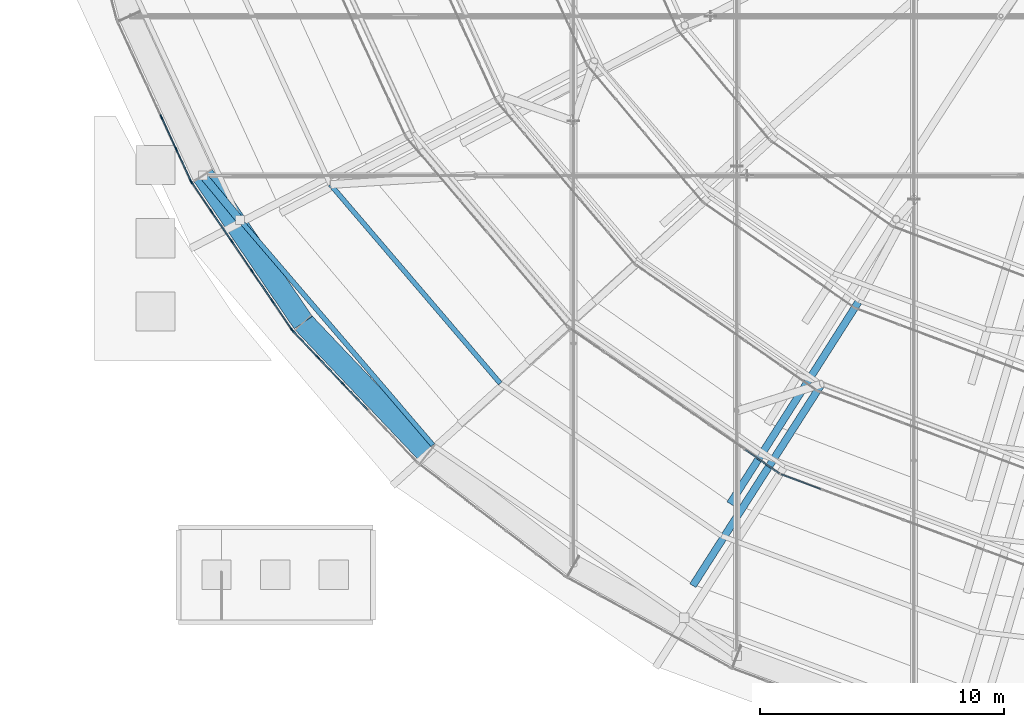
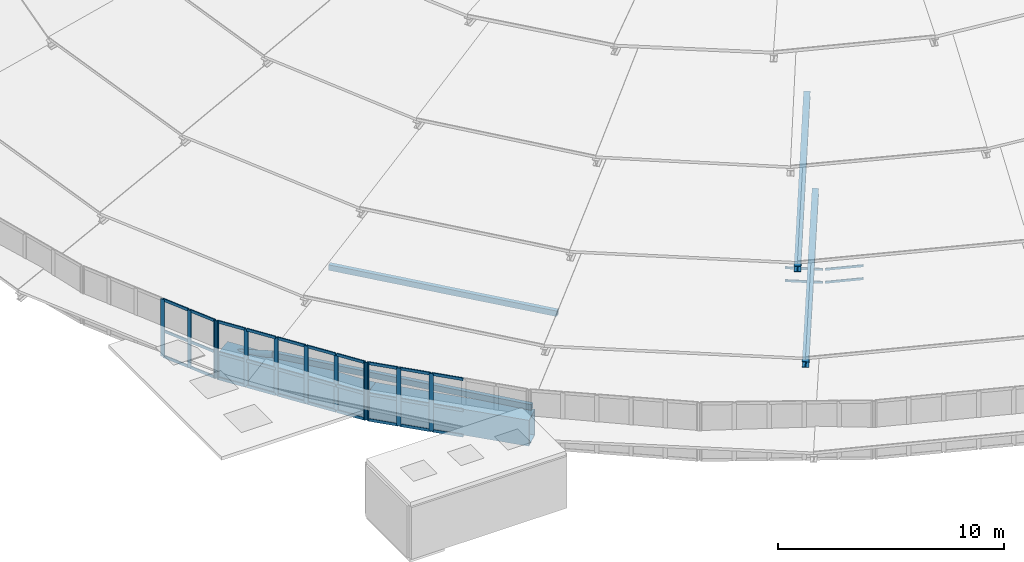
# One storey, part 3 of 173: 51 members, 2 beams, 5 elements without a shape of their own.
"""IFC4 building model written with IfcOpenShell, lengths in metres."""

from ifc_helpers import new_model, si_unit, direction, frame, origin, origin_2d, place, context, subcontext, project, spatial, rectangle, hollow_rectangle, hollow_circle, i_section, extrude, material, material_profile, profile_set, type_object, element, aggregate, save


model = new_model("IFC4")

# Units and contexts
model_context = context("Model", 3, precision=1e-05, world=origin(), true_north=direction((0.0, 1.0)))
body_context = subcontext(model_context, "Body", "Model", "MODEL_VIEW")
ifc_project = project(units=[si_unit("LENGTHUNIT", "METRE"), si_unit("AREAUNIT", "SQUARE_METRE"), si_unit("VOLUMEUNIT", "CUBIC_METRE"), si_unit("PLANEANGLEUNIT", "RADIAN"), si_unit("MASSUNIT", "GRAM", prefix="KILO")], contexts=[model_context])

# Site, building, storey
site_placement = place(None, origin())
site = spatial("IfcSite", under=ifc_project, at=site_placement, CompositionType="ELEMENT")
building_placement = place(site_placement, origin())
building = spatial("IfcBuilding", under=site, at=building_placement, Name="Glasvene Arena", CompositionType="ELEMENT")
storey_placement = place(building_placement, frame((0.0, 0.0, 28.800048828125)))
storey = spatial("IfcBuildingStorey", under=building, at=storey_placement, Name="RF", CompositionType="ELEMENT", Elevation=28.800048828125)

# Beams
ifc_material_1 = material(Name="Steel S355J2", Category="steel")
ifc_material_profile_1 = material_profile(ifc_material_1, hollow_rectangle(XDim=0.89990234375, YDim=1.39990234375, WallThickness=0.034912109375, at=origin_2d()), Name="WBOX 900x1400x35")
ifc_profile_set_1 = profile_set([ifc_material_profile_1], Name="Steel S355J2")
beam_type = type_object("IfcBeamType", Name="BM-RING-BOX1400", PredefinedType="USERDEFINED", material=ifc_profile_set_1)
beam_1_placement = place(storey_placement, frame((47.44970703125, 52.5703125, -0.699951171875), z_axis=(0.562841652838, -0.826564742674, 0.0), x_axis=(0.826564742674, 0.562841652838, 0.0)))
element("IfcBeam", 1, at=beam_1_placement, inside=storey, type_object=beam_type, Name="Compression ring beam chord RB-24", ObjectType="RING BEAM", PredefinedType="USERDEFINED", context=body_context, shape_type="SweptSolid", body=[
    extrude(hollow_rectangle(XDim=0.89990234375, YDim=1.39990234375, WallThickness=0.034912109375, at=origin_2d()), origin(), (0.0, 0.0, 1.0), 7.28369140625),
])
beam_2_placement = place(storey_placement, frame((51.54931640625, 46.5498046875, -0.699951171875), z_axis=(0.688345435881, -0.725383044261, 0.0), x_axis=(0.725383044261, 0.688345435881, 0.0)))
element("IfcBeam", 2, at=beam_2_placement, inside=storey, type_object=beam_type, Name="Compression ring beam chord RB-25", ObjectType="RING BEAM", PredefinedType="USERDEFINED", context=body_context, shape_type="SweptSolid", body=[
    extrude(hollow_rectangle(XDim=0.89990234375, YDim=1.39990234375, WallThickness=0.034912109375, at=origin_2d()), origin(), (0.0, 0.0, 1.0), 7.402587890625),
])

# Curtain wall, members
ifc_material_2 = material(Name="Low-emissivity laminated double glazing", Category="glass")
curtain_wall_type_1 = type_object("IfcCurtainWallType", Name="CW-DRUM-727x310", PredefinedType="USERDEFINED", material=ifc_material_2)
curtain_wall_1_placement = place(storey_placement, frame((43.924072265625, 58.92431640625, 0.0)))
curtain_wall_1 = element("IfcCurtainWall", 3, at=curtain_wall_1_placement, inside=storey, type_object=curtain_wall_type_1, Name="Crown compression-ring fascia curtain wall 23", ObjectType="CURTAIN WALL", PredefinedType="USERDEFINED")
ifc_material_3 = material(Name="Anodised architectural aluminium", Category="aluminium")
ifc_material_profile_2 = material_profile(ifc_material_3, rectangle(XDim=0.050048828125, YDim=0.199951171875, at=origin_2d()), Name="ALU MULLION 50x200")
ifc_profile_set_2 = profile_set([ifc_material_profile_2], Name="Anodised architectural aluminium")
member_type_1 = type_object("IfcMemberType", Name="CW-MUL-180", PredefinedType="MULLION", material=ifc_profile_set_2)
member_1_placement = place(storey_placement, frame((45.745361328125, 54.962158203125, -1.380126953125), z_axis=(0.0, 0.0, 1.0), x_axis=(0.908603046232, 0.417660752738, 0.0)))
member_1 = element("IfcMember", 4, at=member_1_placement, type_object=member_type_1, Name="CW-073 mullion 4", PredefinedType="MULLION", context=body_context, shape_type="SweptSolid", body=[
    extrude(rectangle(XDim=0.050048828125, YDim=0.199951171875, at=origin_2d()), origin(), (0.0, 0.0, 1.0), 3.10009765625),
])
member_2_placement = place(storey_placement, frame((46.3525390625, 53.641357421875, -1.380126953125), z_axis=(0.0, 0.0, 1.0), x_axis=(0.908603046232, 0.417660752738, 0.0)))
member_2 = element("IfcMember", 5, at=member_2_placement, type_object=member_type_1, Name="CW-073 mullion 5", PredefinedType="MULLION", context=body_context, shape_type="SweptSolid", body=[
    extrude(rectangle(XDim=0.050048828125, YDim=0.199951171875, at=origin_2d()), origin(), (0.0, 0.0, 1.0), 3.10009765625),
])
member_3_placement = place(storey_placement, frame((46.94921875, 52.343505859375, -1.380126953125), z_axis=(0.0, 0.0, 1.0), x_axis=(0.908603046232, 0.417660752738, 0.0)))
member_3 = element("IfcMember", 6, at=member_3_placement, type_object=member_type_1, Name="CW-073 mullion 6", PredefinedType="MULLION", context=body_context, shape_type="SweptSolid", body=[
    extrude(rectangle(XDim=0.050048828125, YDim=0.199951171875, at=origin_2d()), origin(), (0.0, 0.0, 1.0), 3.10009765625),
])

curtain_wall_type_2 = type_object("IfcCurtainWallType", Name="CW-DRUM-737x310", PredefinedType="USERDEFINED", material=ifc_material_2)
curtain_wall_2_placement = place(storey_placement, frame((46.959716796875, 52.32080078125, 0.0)))
curtain_wall_2 = element("IfcCurtainWall", 7, at=curtain_wall_2_placement, inside=storey, type_object=curtain_wall_type_2, Name="Crown compression-ring fascia curtain wall 24", ObjectType="CURTAIN WALL", PredefinedType="USERDEFINED")
member_4_placement = place(storey_placement, frame((46.9736328125, 52.300048828125, -1.380126953125), z_axis=(0.0, 0.0, 1.0), x_axis=(0.826896469394, 0.56235418457, 0.0)))
member_4 = element("IfcMember", 8, at=member_4_placement, type_object=member_type_1, Name="CW-074 mullion 1", PredefinedType="MULLION", context=body_context, shape_type="SweptSolid", body=[
    extrude(rectangle(XDim=0.050048828125, YDim=0.199951171875, at=origin_2d()), origin(), (0.0, 0.0, 1.0), 3.10009765625),
])
member_5_placement = place(storey_placement, frame((47.78857421875, 51.101806640625, -1.380126953125), z_axis=(0.0, 0.0, 1.0), x_axis=(0.826896469394, 0.56235418457, 0.0)))
member_5 = element("IfcMember", 9, at=member_5_placement, type_object=member_type_1, Name="CW-074 mullion 2", PredefinedType="MULLION", context=body_context, shape_type="SweptSolid", body=[
    extrude(rectangle(XDim=0.050048828125, YDim=0.199951171875, at=origin_2d()), origin(), (0.0, 0.0, 1.0), 3.10009765625),
])
member_6_placement = place(storey_placement, frame((48.617431640625, 49.883056640625, -1.380126953125), z_axis=(0.0, 0.0, 1.0), x_axis=(0.826896469394, 0.56235418457, 0.0)))
member_6 = element("IfcMember", 10, at=member_6_placement, type_object=member_type_1, Name="CW-074 mullion 3", PredefinedType="MULLION", context=body_context, shape_type="SweptSolid", body=[
    extrude(rectangle(XDim=0.050048828125, YDim=0.199951171875, at=origin_2d()), origin(), (0.0, 0.0, 1.0), 3.10009765625),
])
member_7_placement = place(storey_placement, frame((49.4462890625, 48.6640625, -1.380126953125), z_axis=(0.0, 0.0, 1.0), x_axis=(0.826896469394, 0.56235418457, 0.0)))
member_7 = element("IfcMember", 11, at=member_7_placement, type_object=member_type_1, Name="CW-074 mullion 4", PredefinedType="MULLION", context=body_context, shape_type="SweptSolid", body=[
    extrude(rectangle(XDim=0.050048828125, YDim=0.199951171875, at=origin_2d()), origin(), (0.0, 0.0, 1.0), 3.10009765625),
])
member_8_placement = place(storey_placement, frame((50.275390625, 47.4453125, -1.380126953125), z_axis=(0.0, 0.0, 1.0), x_axis=(0.826896469394, 0.56235418457, 0.0)))
member_8 = element("IfcMember", 12, at=member_8_placement, type_object=member_type_1, Name="CW-074 mullion 5", PredefinedType="MULLION", context=body_context, shape_type="SweptSolid", body=[
    extrude(rectangle(XDim=0.050048828125, YDim=0.199951171875, at=origin_2d()), origin(), (0.0, 0.0, 1.0), 3.10009765625),
])
member_9_placement = place(storey_placement, frame((51.090087890625, 46.2470703125, -1.380126953125), z_axis=(0.0, 0.0, 1.0), x_axis=(0.826896469394, 0.56235418457, 0.0)))
member_9 = element("IfcMember", 13, at=member_9_placement, type_object=member_type_1, Name="CW-074 mullion 6", PredefinedType="MULLION", context=body_context, shape_type="SweptSolid", body=[
    extrude(rectangle(XDim=0.050048828125, YDim=0.199951171875, at=origin_2d()), origin(), (0.0, 0.0, 1.0), 3.10009765625),
])

curtain_wall_type_3 = type_object("IfcCurtainWallType", Name="CW-DRUM-749x310", PredefinedType="USERDEFINED", material=ifc_material_2)
curtain_wall_3_placement = place(storey_placement, frame((51.104248046875, 46.226318359375, 0.0)))
curtain_wall_3 = element("IfcCurtainWall", 14, at=curtain_wall_3_placement, inside=storey, type_object=curtain_wall_type_3, Name="Crown compression-ring fascia curtain wall 25", ObjectType="CURTAIN WALL", PredefinedType="USERDEFINED")
member_10_placement = place(storey_placement, frame((51.121337890625, 46.208251953125, -1.380126953125), z_axis=(0.0, 0.0, 1.0), x_axis=(0.725782125252, 0.687924637344, 0.0)))
member_10 = element("IfcMember", 15, at=member_10_placement, type_object=member_type_1, Name="CW-075 mullion 1", PredefinedType="MULLION", context=body_context, shape_type="SweptSolid", body=[
    extrude(rectangle(XDim=0.050048828125, YDim=0.199951171875, at=origin_2d()), origin(), (0.0, 0.0, 1.0), 3.10009765625),
])
member_11_placement = place(storey_placement, frame((52.134521484375, 45.139404296875, -1.380126953125), z_axis=(0.0, 0.0, 1.0), x_axis=(0.725782125252, 0.687924637344, 0.0)))
member_11 = element("IfcMember", 16, at=member_11_placement, type_object=member_type_1, Name="CW-075 mullion 2", PredefinedType="MULLION", context=body_context, shape_type="SweptSolid", body=[
    extrude(rectangle(XDim=0.050048828125, YDim=0.199951171875, at=origin_2d()), origin(), (0.0, 0.0, 1.0), 3.10009765625),
])
member_12_placement = place(storey_placement, frame((53.164794921875, 44.05224609375, -1.380126953125), z_axis=(0.0, 0.0, 1.0), x_axis=(0.725782125252, 0.687924637344, 0.0)))
member_12 = element("IfcMember", 17, at=member_12_placement, type_object=member_type_1, Name="CW-075 mullion 3", PredefinedType="MULLION", context=body_context, shape_type="SweptSolid", body=[
    extrude(rectangle(XDim=0.050048828125, YDim=0.199951171875, at=origin_2d()), origin(), (0.0, 0.0, 1.0), 3.10009765625),
])

curtain_wall_type_4 = type_object("IfcCurtainWallType", Name="CW-PET1-1054x75", PredefinedType="USERDEFINED", material=ifc_material_2)
curtain_wall_4_placement = place(storey_placement, frame((62.40771484375, 46.342041015625, 0.0)))
curtain_wall_4 = element("IfcCurtainWall", 18, at=curtain_wall_4_placement, inside=storey, type_object=curtain_wall_type_4, Name="Petal ring 1-2 clerestory curtain wall 16", ObjectType="CURTAIN WALL", PredefinedType="USERDEFINED")
ifc_material_profile_3 = material_profile(ifc_material_3, rectangle(XDim=0.050048828125, YDim=0.1201171875, at=origin_2d()), Name="ALU TRANSOM 50x120")
ifc_profile_set_3 = profile_set([ifc_material_profile_3], Name="Anodised architectural aluminium")
member_type_2 = type_object("IfcMemberType", Name="CW-TRN-120", PredefinedType="USERDEFINED", material=ifc_profile_set_3)
member_13_placement = place(storey_placement, frame((69.65087890625, 41.335205078125, 2.60498046875), z_axis=(0.822594498335, -0.568628429917, 0.0), x_axis=(0.568628429917, 0.822594498335, 0.0)))
member_13 = element("IfcMember", 19, at=member_13_placement, type_object=member_type_2, Name="CW-084 transom 6.1", ObjectType="TRANSOM", PredefinedType="USERDEFINED", context=body_context, shape_type="SweptSolid", body=[
    extrude(rectangle(XDim=0.050048828125, YDim=0.1201171875, at=origin_2d()), origin(), (0.0, 0.0, 1.0), 1.681396484375),
])
member_14_placement = place(storey_placement, frame((69.65087890625, 41.335205078125, 3.304931640625), z_axis=(0.822594498335, -0.568628429917, 0.0), x_axis=(0.568628429917, 0.822594498335, 0.0)))
member_14 = element("IfcMember", 20, at=member_14_placement, type_object=member_type_2, Name="CW-084 transom 6.2", ObjectType="TRANSOM", PredefinedType="USERDEFINED", context=body_context, shape_type="SweptSolid", body=[
    extrude(rectangle(XDim=0.050048828125, YDim=0.1201171875, at=origin_2d()), origin(), (0.0, 0.0, 1.0), 1.681396484375),
])
aggregate(curtain_wall_4, [member_13, member_14])

curtain_wall_type_5 = type_object("IfcCurtainWallType", Name="CW-PET1-1077x75", PredefinedType="USERDEFINED", material=ifc_material_2)
curtain_wall_5_placement = place(storey_placement, frame((71.074951171875, 40.350830078125, 0.0)))
curtain_wall_5 = element("IfcCurtainWall", 21, at=curtain_wall_5_placement, inside=storey, type_object=curtain_wall_type_5, Name="Petal ring 1-2 clerestory curtain wall 17", ObjectType="CURTAIN WALL", PredefinedType="USERDEFINED")
member_15_placement = place(storey_placement, frame((71.121826171875, 40.333251953125, 2.60498046875), z_axis=(0.936940045398, -0.349490130519, 0.0), x_axis=(0.349490130519, 0.936940045398, 0.0)))
member_15 = element("IfcMember", 22, at=member_15_placement, type_object=member_type_2, Name="CW-085 transom 1.1", ObjectType="TRANSOM", PredefinedType="USERDEFINED", context=body_context, shape_type="SweptSolid", body=[
    extrude(rectangle(XDim=0.050048828125, YDim=0.1201171875, at=origin_2d()), origin(), (0.0, 0.0, 1.0), 1.720458984375),
])
member_16_placement = place(storey_placement, frame((71.121826171875, 40.333251953125, 3.304931640625), z_axis=(0.936940045398, -0.349490130519, 0.0), x_axis=(0.349490130519, 0.936940045398, 0.0)))
member_16 = element("IfcMember", 23, at=member_16_placement, type_object=member_type_2, Name="CW-085 transom 1.2", ObjectType="TRANSOM", PredefinedType="USERDEFINED", context=body_context, shape_type="SweptSolid", body=[
    extrude(rectangle(XDim=0.050048828125, YDim=0.1201171875, at=origin_2d()), origin(), (0.0, 0.0, 1.0), 1.720458984375),
])
aggregate(curtain_wall_5, [member_15, member_16])

# Member
ifc_material_profile_4 = material_profile(ifc_material_3, rectangle(XDim=0.050048828125, YDim=0.14990234375, at=origin_2d()), Name="ALU TRANSOM 50x150")
ifc_profile_set_4 = profile_set([ifc_material_profile_4], Name="Anodised architectural aluminium")
member_type_3 = type_object("IfcMemberType", Name="CW-TRN-150", PredefinedType="USERDEFINED", material=ifc_profile_set_4)
member_17_placement = place(storey_placement, frame((45.755859375, 54.939453125, -1.35498046875), z_axis=(0.417612731634, -0.908625118724, 0.0), x_axis=(0.908625118724, 0.417612731634, 0.0)))
member_17 = element("IfcMember", 24, at=member_17_placement, type_object=member_type_3, Name="CW-073 transom 4.1", ObjectType="TRANSOM", PredefinedType="USERDEFINED", context=body_context, shape_type="SweptSolid", body=[
    extrude(rectangle(XDim=0.050048828125, YDim=0.14990234375, at=origin_2d()), origin(), (0.0, 0.0, 1.0), 1.403564453125),
])

member_18_placement = place(storey_placement, frame((45.755859375, 54.939453125, 0.02001953125), z_axis=(0.417612731634, -0.908625118724, 0.0), x_axis=(0.908625118724, 0.417612731634, 0.0)))
member_18 = element("IfcMember", 25, at=member_18_placement, type_object=member_type_3, Name="CW-073 transom 4.2", ObjectType="TRANSOM", PredefinedType="USERDEFINED", context=body_context, shape_type="SweptSolid", body=[
    extrude(rectangle(XDim=0.050048828125, YDim=0.14990234375, at=origin_2d()), origin(), (0.0, 0.0, 1.0), 1.403564453125),
])

member_19_placement = place(storey_placement, frame((45.755859375, 54.939453125, 1.695068359375), z_axis=(0.417612731634, -0.908625118724, 0.0), x_axis=(0.908625118724, 0.417612731634, 0.0)))
member_19 = element("IfcMember", 26, at=member_19_placement, type_object=member_type_3, Name="CW-073 transom 4.3", ObjectType="TRANSOM", PredefinedType="USERDEFINED", context=body_context, shape_type="SweptSolid", body=[
    extrude(rectangle(XDim=0.050048828125, YDim=0.14990234375, at=origin_2d()), origin(), (0.0, 0.0, 1.0), 1.403564453125),
])

member_20_placement = place(storey_placement, frame((46.363037109375, 53.61865234375, -1.35498046875), z_axis=(0.417642458451, -0.908611455408, 0.0), x_axis=(0.908611455408, 0.417642458451, 0.0)))
member_20 = element("IfcMember", 27, at=member_20_placement, type_object=member_type_3, Name="CW-073 transom 5.1", ObjectType="TRANSOM", PredefinedType="USERDEFINED", context=body_context, shape_type="SweptSolid", body=[
    extrude(rectangle(XDim=0.050048828125, YDim=0.14990234375, at=origin_2d()), origin(), (0.0, 0.0, 1.0), 1.37841796875),
])

member_21_placement = place(storey_placement, frame((46.363037109375, 53.61865234375, 0.02001953125), z_axis=(0.417642458451, -0.908611455408, 0.0), x_axis=(0.908611455408, 0.417642458451, 0.0)))
member_21 = element("IfcMember", 28, at=member_21_placement, type_object=member_type_3, Name="CW-073 transom 5.2", ObjectType="TRANSOM", PredefinedType="USERDEFINED", context=body_context, shape_type="SweptSolid", body=[
    extrude(rectangle(XDim=0.050048828125, YDim=0.14990234375, at=origin_2d()), origin(), (0.0, 0.0, 1.0), 1.37841796875),
])

member_22_placement = place(storey_placement, frame((46.363037109375, 53.61865234375, 1.695068359375), z_axis=(0.417642458451, -0.908611455408, 0.0), x_axis=(0.908611455408, 0.417642458451, 0.0)))
member_22 = element("IfcMember", 29, at=member_22_placement, type_object=member_type_3, Name="CW-073 transom 5.3", ObjectType="TRANSOM", PredefinedType="USERDEFINED", context=body_context, shape_type="SweptSolid", body=[
    extrude(rectangle(XDim=0.050048828125, YDim=0.14990234375, at=origin_2d()), origin(), (0.0, 0.0, 1.0), 1.37841796875),
])

aggregate(curtain_wall_1, [member_1, member_2, member_3, member_17, member_18, member_19, member_20, member_21, member_22])

member_23_placement = place(storey_placement, frame((46.98779296875, 52.279296875, -1.35498046875), z_axis=(0.562329116221, -0.826913517274, 0.0), x_axis=(0.826913517274, 0.562329116221, 0.0)))
member_23 = element("IfcMember", 30, at=member_23_placement, type_object=member_type_3, Name="CW-074 transom 1.1", ObjectType="TRANSOM", PredefinedType="USERDEFINED", context=body_context, shape_type="SweptSolid", body=[
    extrude(rectangle(XDim=0.050048828125, YDim=0.14990234375, at=origin_2d()), origin(), (0.0, 0.0, 1.0), 1.39892578125),
])

member_24_placement = place(storey_placement, frame((46.98779296875, 52.279296875, 0.02001953125), z_axis=(0.562329116221, -0.826913517274, 0.0), x_axis=(0.826913517274, 0.562329116221, 0.0)))
member_24 = element("IfcMember", 31, at=member_24_placement, type_object=member_type_3, Name="CW-074 transom 1.2", ObjectType="TRANSOM", PredefinedType="USERDEFINED", context=body_context, shape_type="SweptSolid", body=[
    extrude(rectangle(XDim=0.050048828125, YDim=0.14990234375, at=origin_2d()), origin(), (0.0, 0.0, 1.0), 1.39892578125),
])

member_25_placement = place(storey_placement, frame((46.98779296875, 52.279296875, 1.695068359375), z_axis=(0.562329116221, -0.826913517274, 0.0), x_axis=(0.826913517274, 0.562329116221, 0.0)))
member_25 = element("IfcMember", 32, at=member_25_placement, type_object=member_type_3, Name="CW-074 transom 1.3", ObjectType="TRANSOM", PredefinedType="USERDEFINED", context=body_context, shape_type="SweptSolid", body=[
    extrude(rectangle(XDim=0.050048828125, YDim=0.14990234375, at=origin_2d()), origin(), (0.0, 0.0, 1.0), 1.39892578125),
])

member_26_placement = place(storey_placement, frame((47.802490234375, 51.0810546875, -1.35498046875), z_axis=(0.562352226354, -0.82689780113, 0.0), x_axis=(0.82689780113, 0.562352226354, 0.0)))
member_26 = element("IfcMember", 33, at=member_26_placement, type_object=member_type_3, Name="CW-074 transom 2.1", ObjectType="TRANSOM", PredefinedType="USERDEFINED", context=body_context, shape_type="SweptSolid", body=[
    extrude(rectangle(XDim=0.050048828125, YDim=0.14990234375, at=origin_2d()), origin(), (0.0, 0.0, 1.0), 1.424072265625),
])

member_27_placement = place(storey_placement, frame((47.802490234375, 51.0810546875, 0.02001953125), z_axis=(0.562352226354, -0.82689780113, 0.0), x_axis=(0.82689780113, 0.562352226354, 0.0)))
member_27 = element("IfcMember", 34, at=member_27_placement, type_object=member_type_3, Name="CW-074 transom 2.2", ObjectType="TRANSOM", PredefinedType="USERDEFINED", context=body_context, shape_type="SweptSolid", body=[
    extrude(rectangle(XDim=0.050048828125, YDim=0.14990234375, at=origin_2d()), origin(), (0.0, 0.0, 1.0), 1.424072265625),
])

member_28_placement = place(storey_placement, frame((47.802490234375, 51.0810546875, 1.695068359375), z_axis=(0.562352226354, -0.82689780113, 0.0), x_axis=(0.82689780113, 0.562352226354, 0.0)))
member_28 = element("IfcMember", 35, at=member_28_placement, type_object=member_type_3, Name="CW-074 transom 2.3", ObjectType="TRANSOM", PredefinedType="USERDEFINED", context=body_context, shape_type="SweptSolid", body=[
    extrude(rectangle(XDim=0.050048828125, YDim=0.14990234375, at=origin_2d()), origin(), (0.0, 0.0, 1.0), 1.424072265625),
])

member_29_placement = place(storey_placement, frame((48.631591796875, 49.8623046875, -1.35498046875), z_axis=(0.562352226354, -0.82689780113, 0.0), x_axis=(0.82689780113, 0.562352226354, 0.0)))
member_29 = element("IfcMember", 36, at=member_29_placement, type_object=member_type_3, Name="CW-074 transom 3.1", ObjectType="TRANSOM", PredefinedType="USERDEFINED", context=body_context, shape_type="SweptSolid", body=[
    extrude(rectangle(XDim=0.050048828125, YDim=0.14990234375, at=origin_2d()), origin(), (0.0, 0.0, 1.0), 1.424072265625),
])

member_30_placement = place(storey_placement, frame((48.631591796875, 49.8623046875, 0.02001953125), z_axis=(0.562352226354, -0.82689780113, 0.0), x_axis=(0.82689780113, 0.562352226354, 0.0)))
member_30 = element("IfcMember", 37, at=member_30_placement, type_object=member_type_3, Name="CW-074 transom 3.2", ObjectType="TRANSOM", PredefinedType="USERDEFINED", context=body_context, shape_type="SweptSolid", body=[
    extrude(rectangle(XDim=0.050048828125, YDim=0.14990234375, at=origin_2d()), origin(), (0.0, 0.0, 1.0), 1.424072265625),
])

member_31_placement = place(storey_placement, frame((48.631591796875, 49.8623046875, 1.695068359375), z_axis=(0.562352226354, -0.82689780113, 0.0), x_axis=(0.82689780113, 0.562352226354, 0.0)))
member_31 = element("IfcMember", 38, at=member_31_placement, type_object=member_type_3, Name="CW-074 transom 3.3", ObjectType="TRANSOM", PredefinedType="USERDEFINED", context=body_context, shape_type="SweptSolid", body=[
    extrude(rectangle(XDim=0.050048828125, YDim=0.14990234375, at=origin_2d()), origin(), (0.0, 0.0, 1.0), 1.424072265625),
])

member_32_placement = place(storey_placement, frame((49.46044921875, 48.6435546875, -1.35498046875), z_axis=(0.562272509987, -0.826952008591, 0.0), x_axis=(0.826952008591, 0.562272509987, 0.0)))
member_32 = element("IfcMember", 39, at=member_32_placement, type_object=member_type_3, Name="CW-074 transom 4.1", ObjectType="TRANSOM", PredefinedType="USERDEFINED", context=body_context, shape_type="SweptSolid", body=[
    extrude(rectangle(XDim=0.050048828125, YDim=0.14990234375, at=origin_2d()), origin(), (0.0, 0.0, 1.0), 1.424072265625),
])

member_33_placement = place(storey_placement, frame((49.46044921875, 48.6435546875, 0.02001953125), z_axis=(0.562272509987, -0.826952008591, 0.0), x_axis=(0.826952008591, 0.562272509987, 0.0)))
member_33 = element("IfcMember", 40, at=member_33_placement, type_object=member_type_3, Name="CW-074 transom 4.2", ObjectType="TRANSOM", PredefinedType="USERDEFINED", context=body_context, shape_type="SweptSolid", body=[
    extrude(rectangle(XDim=0.050048828125, YDim=0.14990234375, at=origin_2d()), origin(), (0.0, 0.0, 1.0), 1.424072265625),
])

member_34_placement = place(storey_placement, frame((49.46044921875, 48.6435546875, 1.695068359375), z_axis=(0.562272509987, -0.826952008591, 0.0), x_axis=(0.826952008591, 0.562272509987, 0.0)))
member_34 = element("IfcMember", 41, at=member_34_placement, type_object=member_type_3, Name="CW-074 transom 4.3", ObjectType="TRANSOM", PredefinedType="USERDEFINED", context=body_context, shape_type="SweptSolid", body=[
    extrude(rectangle(XDim=0.050048828125, YDim=0.14990234375, at=origin_2d()), origin(), (0.0, 0.0, 1.0), 1.424072265625),
])

member_35_placement = place(storey_placement, frame((50.289306640625, 47.424560546875, -1.35498046875), z_axis=(0.56244843843, -0.826832361551, 0.0), x_axis=(0.826832361551, 0.56244843843, 0.0)))
member_35 = element("IfcMember", 42, at=member_35_placement, type_object=member_type_3, Name="CW-074 transom 5.1", ObjectType="TRANSOM", PredefinedType="USERDEFINED", context=body_context, shape_type="SweptSolid", body=[
    extrude(rectangle(XDim=0.050048828125, YDim=0.14990234375, at=origin_2d()), origin(), (0.0, 0.0, 1.0), 1.39892578125),
])

member_36_placement = place(storey_placement, frame((50.289306640625, 47.424560546875, 0.02001953125), z_axis=(0.56244843843, -0.826832361551, 0.0), x_axis=(0.826832361551, 0.56244843843, 0.0)))
member_36 = element("IfcMember", 43, at=member_36_placement, type_object=member_type_3, Name="CW-074 transom 5.2", ObjectType="TRANSOM", PredefinedType="USERDEFINED", context=body_context, shape_type="SweptSolid", body=[
    extrude(rectangle(XDim=0.050048828125, YDim=0.14990234375, at=origin_2d()), origin(), (0.0, 0.0, 1.0), 1.39892578125),
])

member_37_placement = place(storey_placement, frame((50.289306640625, 47.424560546875, 1.695068359375), z_axis=(0.56244843843, -0.826832361551, 0.0), x_axis=(0.826832361551, 0.56244843843, 0.0)))
member_37 = element("IfcMember", 44, at=member_37_placement, type_object=member_type_3, Name="CW-074 transom 5.3", ObjectType="TRANSOM", PredefinedType="USERDEFINED", context=body_context, shape_type="SweptSolid", body=[
    extrude(rectangle(XDim=0.050048828125, YDim=0.14990234375, at=origin_2d()), origin(), (0.0, 0.0, 1.0), 1.39892578125),
])

aggregate(curtain_wall_2, [member_4, member_5, member_6, member_7, member_8, member_9, member_23, member_24, member_25, member_26, member_27, member_28, member_29, member_30, member_31, member_32, member_33, member_34, member_35, member_36, member_37])

member_38_placement = place(storey_placement, frame((51.138671875, 46.190185546875, -1.35498046875), z_axis=(0.687892173454, -0.725812894416, 0.0), x_axis=(0.725812894416, 0.687892173454, 0.0)))
member_38 = element("IfcMember", 45, at=member_38_placement, type_object=member_type_3, Name="CW-075 transom 1.1", ObjectType="TRANSOM", PredefinedType="USERDEFINED", context=body_context, shape_type="SweptSolid", body=[
    extrude(rectangle(XDim=0.050048828125, YDim=0.14990234375, at=origin_2d()), origin(), (0.0, 0.0, 1.0), 1.4228515625),
])

member_39_placement = place(storey_placement, frame((51.138671875, 46.190185546875, 0.02001953125), z_axis=(0.687892173454, -0.725812894416, 0.0), x_axis=(0.725812894416, 0.687892173454, 0.0)))
member_39 = element("IfcMember", 46, at=member_39_placement, type_object=member_type_3, Name="CW-075 transom 1.2", ObjectType="TRANSOM", PredefinedType="USERDEFINED", context=body_context, shape_type="SweptSolid", body=[
    extrude(rectangle(XDim=0.050048828125, YDim=0.14990234375, at=origin_2d()), origin(), (0.0, 0.0, 1.0), 1.4228515625),
])

member_40_placement = place(storey_placement, frame((51.138671875, 46.190185546875, 1.695068359375), z_axis=(0.687892173454, -0.725812894416, 0.0), x_axis=(0.725812894416, 0.687892173454, 0.0)))
member_40 = element("IfcMember", 47, at=member_40_placement, type_object=member_type_3, Name="CW-075 transom 1.3", ObjectType="TRANSOM", PredefinedType="USERDEFINED", context=body_context, shape_type="SweptSolid", body=[
    extrude(rectangle(XDim=0.050048828125, YDim=0.14990234375, at=origin_2d()), origin(), (0.0, 0.0, 1.0), 1.4228515625),
])

member_41_placement = place(storey_placement, frame((52.151611328125, 45.121337890625, -1.35498046875), z_axis=(0.687969113319, -0.725739966599, 0.0), x_axis=(0.725739966599, 0.687969113319, 0.0)))
member_41 = element("IfcMember", 48, at=member_41_placement, type_object=member_type_3, Name="CW-075 transom 2.1", ObjectType="TRANSOM", PredefinedType="USERDEFINED", context=body_context, shape_type="SweptSolid", body=[
    extrude(rectangle(XDim=0.050048828125, YDim=0.14990234375, at=origin_2d()), origin(), (0.0, 0.0, 1.0), 1.44775390625),
])

member_42_placement = place(storey_placement, frame((52.151611328125, 45.121337890625, 0.02001953125), z_axis=(0.687969113319, -0.725739966599, 0.0), x_axis=(0.725739966599, 0.687969113319, 0.0)))
member_42 = element("IfcMember", 49, at=member_42_placement, type_object=member_type_3, Name="CW-075 transom 2.2", ObjectType="TRANSOM", PredefinedType="USERDEFINED", context=body_context, shape_type="SweptSolid", body=[
    extrude(rectangle(XDim=0.050048828125, YDim=0.14990234375, at=origin_2d()), origin(), (0.0, 0.0, 1.0), 1.44775390625),
])

member_43_placement = place(storey_placement, frame((52.151611328125, 45.121337890625, 1.695068359375), z_axis=(0.687969113319, -0.725739966599, 0.0), x_axis=(0.725739966599, 0.687969113319, 0.0)))
member_43 = element("IfcMember", 50, at=member_43_placement, type_object=member_type_3, Name="CW-075 transom 2.3", ObjectType="TRANSOM", PredefinedType="USERDEFINED", context=body_context, shape_type="SweptSolid", body=[
    extrude(rectangle(XDim=0.050048828125, YDim=0.14990234375, at=origin_2d()), origin(), (0.0, 0.0, 1.0), 1.44775390625),
])

member_44_placement = place(storey_placement, frame((53.18212890625, 44.0341796875, -1.35498046875), z_axis=(0.687880286025, -0.725824160591, 0.0), x_axis=(0.725824160591, 0.687880286025, 0.0)))
member_44 = element("IfcMember", 51, at=member_44_placement, type_object=member_type_3, Name="CW-075 transom 3.1", ObjectType="TRANSOM", PredefinedType="USERDEFINED", context=body_context, shape_type="SweptSolid", body=[
    extrude(rectangle(XDim=0.050048828125, YDim=0.14990234375, at=origin_2d()), origin(), (0.0, 0.0, 1.0), 1.44775390625),
])

member_45_placement = place(storey_placement, frame((53.18212890625, 44.0341796875, 0.02001953125), z_axis=(0.687880286025, -0.725824160591, 0.0), x_axis=(0.725824160591, 0.687880286025, 0.0)))
member_45 = element("IfcMember", 52, at=member_45_placement, type_object=member_type_3, Name="CW-075 transom 3.2", ObjectType="TRANSOM", PredefinedType="USERDEFINED", context=body_context, shape_type="SweptSolid", body=[
    extrude(rectangle(XDim=0.050048828125, YDim=0.14990234375, at=origin_2d()), origin(), (0.0, 0.0, 1.0), 1.44775390625),
])

member_46_placement = place(storey_placement, frame((53.18212890625, 44.0341796875, 1.695068359375), z_axis=(0.687880286025, -0.725824160591, 0.0), x_axis=(0.725824160591, 0.687880286025, 0.0)))
member_46 = element("IfcMember", 53, at=member_46_placement, type_object=member_type_3, Name="CW-075 transom 3.3", ObjectType="TRANSOM", PredefinedType="USERDEFINED", context=body_context, shape_type="SweptSolid", body=[
    extrude(rectangle(XDim=0.050048828125, YDim=0.14990234375, at=origin_2d()), origin(), (0.0, 0.0, 1.0), 1.44775390625),
])

aggregate(curtain_wall_3, [member_10, member_11, member_12, member_38, member_39, member_40, member_41, member_42, member_43, member_44, member_45, member_46])

# Members
ifc_material_profile_5 = material_profile(ifc_material_1, i_section(OverallWidth=0.300048828125, OverallDepth=0.39990234375, WebThickness=0.013427734375, FlangeThickness=0.02392578125, FilletRadius=0.027099609375, at=origin_2d()), Name="HEB 400")
ifc_profile_set_5 = profile_set([ifc_material_profile_5], Name="Steel S355J2")
member_type_4 = type_object("IfcMemberType", Name="MB-CHORD-HEB400", PredefinedType="CHORD", material=ifc_profile_set_5)
member_47_placement = place(storey_placement, frame((67.52490234375, 35.8232421875, 2.14990234375), z_axis=(0.520991039955, 0.815187198725, 0.253057636362), x_axis=(-0.842613245104, 0.538519191093, 0.0)))
element("IfcMember", 54, at=member_47_placement, inside=storey, type_object=member_type_4, Name="Petal ring 2 radial rib 17", PredefinedType="CHORD", context=body_context, shape_type="SweptSolid", body=[
    extrude(i_section(OverallWidth=0.300048828125, OverallDepth=0.39990234375, WebThickness=0.013427734375, FlangeThickness=0.02392578125, FilletRadius=0.027099609375, at=origin_2d()), origin(), (0.0, 0.0, 1.0), 10.076904296875),
])
member_48_placement = place(storey_placement, frame((69.050048828125, 39.1767578125, 4.75), z_axis=(0.518677633856, 0.815474894115, 0.256854451401), x_axis=(-0.843783756963, 0.536683306508, 0.0)))
element("IfcMember", 55, at=member_48_placement, inside=storey, type_object=member_type_4, Name="Petal ring 3 radial rib 17", PredefinedType="CHORD", context=body_context, shape_type="SweptSolid", body=[
    extrude(i_section(OverallWidth=0.300048828125, OverallDepth=0.39990234375, WebThickness=0.013427734375, FlangeThickness=0.02392578125, FilletRadius=0.027099609375, at=origin_2d()), origin(), (0.0, 0.0, 1.0), 10.121826171875),
])
ifc_material_profile_6 = material_profile(ifc_material_1, hollow_circle(Radius=0.161865234375, WallThickness=0.01611328125, at=origin_2d()), Name="CHS 323.9x16.0")
ifc_profile_set_6 = profile_set([ifc_material_profile_6], Name="Steel S355J2")
member_type_5 = type_object("IfcMemberType", Name="MB-POST-CHS324", PredefinedType="BRACE", material=ifc_profile_set_6)
member_49_placement = place(storey_placement, frame((47.44970703125, 52.5703125, -0.300048828125), z_axis=(0.626028456856, -0.755286112349, 0.193987782343), x_axis=(0.769911391409, 0.638150804574, 0.0)))
element("IfcMember", 56, at=member_49_placement, inside=storey, type_object=member_type_5, Name="Petal ring 1 outer support post 15", PredefinedType="BRACE", context=body_context, shape_type="SweptSolid", body=[
    extrude(hollow_circle(Radius=0.161865234375, WallThickness=0.01611328125, at=origin_2d()), origin(), (0.0, 0.0, 1.0), 2.41015625),
])
ifc_material_profile_7 = material_profile(ifc_material_1, hollow_rectangle(XDim=0.199951171875, YDim=0.300048828125, WallThickness=0.012451171875, at=origin_2d()), Name="RHS 300x200x12.5")
ifc_profile_set_7 = profile_set([ifc_material_profile_7], Name="Steel S355J2")
member_type_6 = type_object("IfcMemberType", Name="MB-PURLIN-RHS300", PredefinedType="PURLIN", material=ifc_profile_set_7)
member_50_placement = place(storey_placement, frame((48.95849609375, 50.75, 0.16748046875), z_axis=(0.650720142041, -0.759317652068, 0.0), x_axis=(0.759317652068, 0.650720142041, 0.0)))
element("IfcMember", 57, at=member_50_placement, inside=storey, type_object=member_type_6, Name="Petal ring 1 outer purlin 15", PredefinedType="PURLIN", context=body_context, shape_type="SweptSolid", body=[
    extrude(hollow_rectangle(XDim=0.199951171875, YDim=0.300048828125, WallThickness=0.012451171875, at=origin_2d()), origin(), (0.0, 0.0, 1.0), 12.1376953125),
])
member_51_placement = place(storey_placement, frame((52.661376953125, 52.199951171875, 2.728515625), z_axis=(0.649509475656, -0.760353497416, 0.0), x_axis=(0.760353497416, 0.649509475656, 0.0)))
element("IfcMember", 58, at=member_51_placement, inside=storey, type_object=member_type_6, Name="Petal ring 2 outer purlin 15", PredefinedType="PURLIN", context=body_context, shape_type="SweptSolid", body=[
    extrude(hollow_rectangle(XDim=0.199951171875, YDim=0.300048828125, WallThickness=0.012451171875, at=origin_2d()), origin(), (0.0, 0.0, 1.0), 10.704345703125),
])

save(model, "model.ifc")
